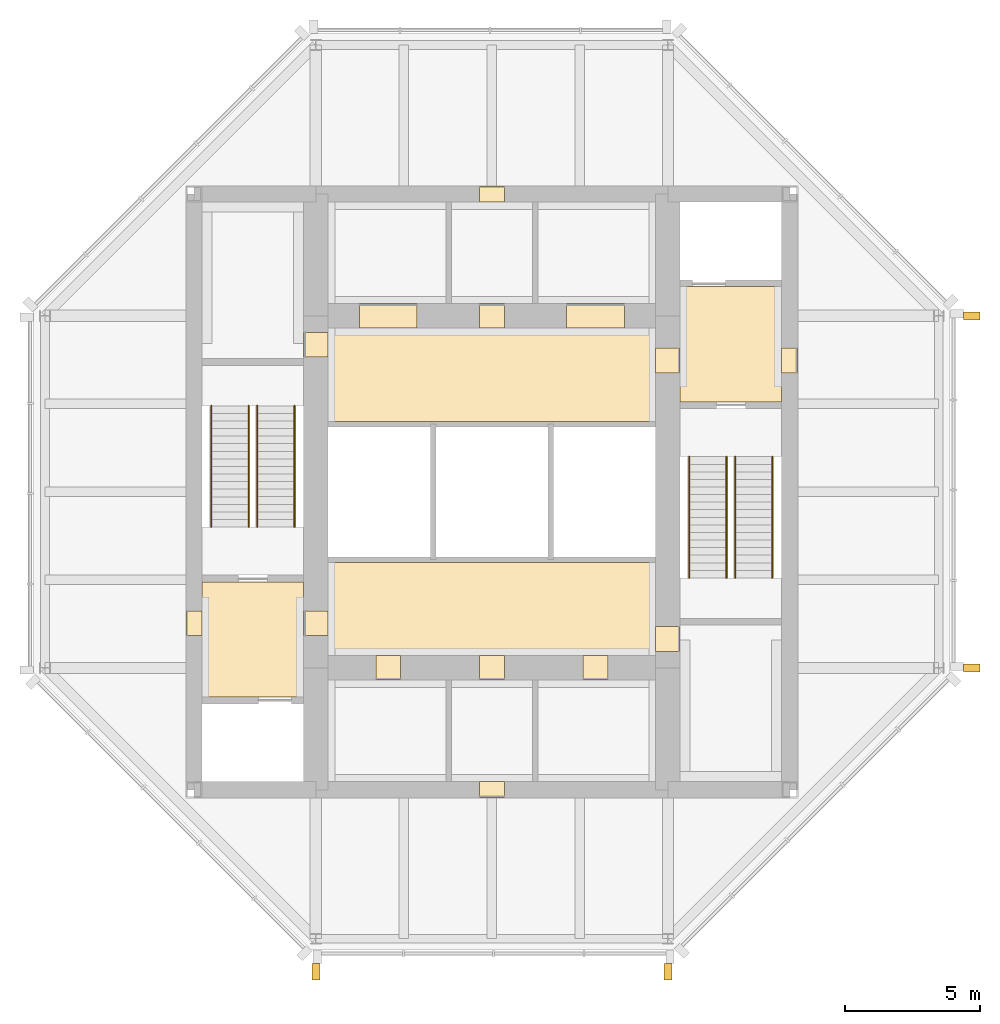
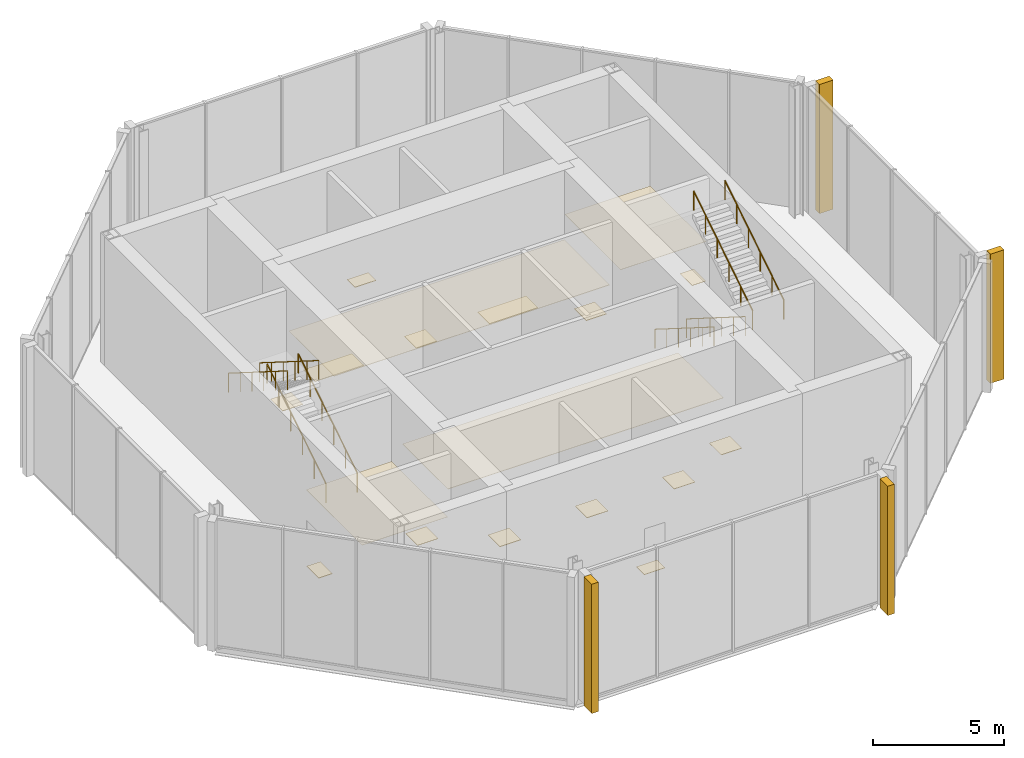
# One storey, part 6 of 6: 22 coverings, 8 railings.
"""IFC4 building model written with IfcOpenShell, lengths in metres."""

from ifc_helpers import new_model, si_unit, direction, frame, origin, origin_2d, place, context, subcontext, project, spatial, polyline, rectangle, circle, outline, extrude, material, layer, layer_set, type_object, element, save


model = new_model("IFC4")

# Units and contexts
model_context = context("Model", 3, precision=1e-05, world=origin(), true_north=direction((0.0, 1.0)))
body_context = subcontext(model_context, "Body", "Model", "MODEL_VIEW")
ifc_project = project(units=[si_unit("LENGTHUNIT", "METRE"), si_unit("AREAUNIT", "SQUARE_METRE"), si_unit("VOLUMEUNIT", "CUBIC_METRE"), si_unit("PLANEANGLEUNIT", "RADIAN"), si_unit("MASSUNIT", "GRAM", prefix="KILO")], contexts=[model_context])

# Site, building, storey
site_placement = place(None, origin())
site = spatial("IfcSite", under=ifc_project, at=site_placement, CompositionType="ELEMENT")
building_placement = place(site_placement, origin())
building = spatial("IfcBuilding", under=site, at=building_placement, Name="Trevanion Tower", CompositionType="ELEMENT")
storey_placement = place(building_placement, frame((0.0, 0.0, 304.199951171875)))
storey = spatial("IfcBuildingStorey", under=building, at=storey_placement, Name="L75", CompositionType="ELEMENT", Elevation=304.199951171875)

# Coverings
ifc_material_1 = material(Name="Mineral fibre acoustic tiles in exposed grid", Category="mineral fibre")
ifc_layer_1 = layer(ifc_material_1, 0.02001953125)
ifc_layer_set_1 = layer_set([ifc_layer_1], Name="CL2 acoustic tile ceiling 20")
covering_type_1 = type_object("IfcCoveringType", Name="CL2 acoustic tile ceiling 20", PredefinedType="CEILING", material=ifc_layer_set_1)
covering_1_placement = place(storey_placement, frame((0.0, 0.0, 2.75)))
element("IfcCovering", 1, at=covering_1_placement, inside=storey, type_object=covering_type_1, Name="CL2 L75-LBN", PredefinedType="CEILING", context=body_context, shape_type="SweptSolid", body=[
    extrude(outline(polyline([(6.050048828125, 2.60009765625), (6.050048828125, 6.050048828125), (-6.050048828125, 6.050048828125), (-6.050048828125, 2.60009765625), (6.050048828125, 2.60009765625)])), origin(), (0.0, 0.0, 1.0), 0.02001953125),
])
covering_2_placement = place(storey_placement, frame((0.0, 0.0, 2.75)))
element("IfcCovering", 2, at=covering_2_placement, inside=storey, type_object=covering_type_1, Name="CL2 L75-LBS", PredefinedType="CEILING", context=body_context, shape_type="SweptSolid", body=[
    extrude(outline(polyline([(6.050048828125, -6.050048828125), (6.050048828125, -2.60009765625), (-6.050048828125, -2.60009765625), (-6.050048828125, -6.050048828125), (6.050048828125, -6.050048828125)])), origin(), (0.0, 0.0, 1.0), 0.02001953125),
])
ifc_material_2 = material(Name="Gypsum plasterboard on suspended metal furring", Category="gypsum")
ifc_layer_2 = layer(ifc_material_2, 0.012939453125)
ifc_layer_set_2 = layer_set([ifc_layer_2], Name="CL3 plasterboard ceiling 13")
covering_type_2 = type_object("IfcCoveringType", Name="CL3 plasterboard ceiling 13", PredefinedType="CEILING", material=ifc_layer_set_2)
covering_3_placement = place(storey_placement, frame((0.0, 0.0, 2.699951171875)))
element("IfcCovering", 3, at=covering_3_placement, inside=storey, type_object=covering_type_2, Name="CL3 L75-FV1", PredefinedType="CEILING", context=body_context, shape_type="SweptSolid", body=[
    extrude(outline(polyline([(10.699951171875, 3.324951171875), (10.699951171875, 7.574951171875), (6.949951171875, 7.574951171875), (6.949951171875, 3.324951171875), (10.699951171875, 3.324951171875)])), origin(), (0.0, 0.0, 1.0), 0.01318359375),
])
covering_4_placement = place(storey_placement, frame((0.0, 0.0, 2.699951171875)))
element("IfcCovering", 4, at=covering_4_placement, inside=storey, type_object=covering_type_2, Name="CL3 L75-FV2", PredefinedType="CEILING", context=body_context, shape_type="SweptSolid", body=[
    extrude(outline(polyline([(-10.699951171875, -3.324951171875), (-10.699951171875, -7.574951171875), (-6.949951171875, -7.574951171875), (-6.949951171875, -3.324951171875), (-10.699951171875, -3.324951171875)])), origin(), (0.0, 0.0, 1.0), 0.01318359375),
])
ifc_material_3 = material(Name="Cast bronze fin on aluminium carrier", Category="aluminium")
covering_type_3 = type_object("IfcCoveringType", Name="F1 bronze fin", PredefinedType="CLADDING", material=ifc_material_3)
for number, where, z_axis, x_axis, name in (
    (5, (17.72509765625, -6.5, -0.18994140625), (0.0, 0.0, 1.0), (0.0, 1.0, 0.0), "F1 L75 east -6.5"),
    (6, (17.72509765625, 6.5, -0.18994140625), (0.0, 0.0, 1.0), (0.0, 1.0, 0.0), "F1 L75 east +6.5"),
    (7, (-6.5, -17.72509765625, -0.18994140625), (0.0, 0.0, 1.0), (1.0, 0.0, 0.0), "F1 L75 south -6.5"),
    (8, (6.5, -17.72509765625, -0.18994140625), (0.0, 0.0, 1.0), (1.0, 0.0, 0.0), "F1 L75 south +6.5"),
):
    element("IfcCovering", number, at=place(storey_placement, frame(where, z_axis=z_axis, x_axis=x_axis)), inside=storey, type_object=covering_type_3, Name=name, PredefinedType="CLADDING", context=body_context, shape_type="SweptSolid", body=[
        extrude(rectangle(XDim=0.300048828125, YDim=0.60009765625, at=origin_2d()), origin(), (0.0, 0.0, 1.0), 6.0),
    ])
ifc_material_4 = material(Name="Terrazzo, brass divider strips", Category="stone")
ifc_layer_3 = layer(ifc_material_4, 0.02001953125)
ifc_layer_set_3 = layer_set([ifc_layer_3], Name="FF1 terrazzo flooring")
covering_type_4 = type_object("IfcCoveringType", Name="FF1 terrazzo flooring", PredefinedType="FLOORING", material=ifc_layer_set_3)
covering_5_placement = place(storey_placement, origin())
element("IfcCovering", 9, at=covering_5_placement, inside=storey, type_object=covering_type_4, Name="FF1 threshold 75-001", PredefinedType="FLOORING", context=body_context, shape_type="SweptSolid", body=[
    extrude(outline(polyline([(11.300048828125, 4.392578125), (11.300048828125, 5.3076171875), (10.699951171875, 5.3076171875), (10.699951171875, 4.392578125), (11.300048828125, 4.392578125)])), origin(), (0.0, 0.0, 1.0), 0.02001953125),
])
covering_6_placement = place(storey_placement, origin())
element("IfcCovering", 10, at=covering_6_placement, inside=storey, type_object=covering_type_4, Name="FF1 threshold 75-002", PredefinedType="FLOORING", context=body_context, shape_type="SweptSolid", body=[
    extrude(outline(polyline([(-11.300048828125, -4.392578125), (-11.300048828125, -5.3076171875), (-10.699951171875, -5.3076171875), (-10.699951171875, -4.392578125), (-11.300048828125, -4.392578125)])), origin(), (0.0, 0.0, 1.0), 0.02001953125),
])
covering_7_placement = place(storey_placement, origin())
element("IfcCovering", 11, at=covering_7_placement, inside=storey, type_object=covering_type_4, Name="FF1 threshold 75-003", PredefinedType="FLOORING", context=body_context, shape_type="SweptSolid", body=[
    extrude(outline(polyline([(6.949951171875, 4.392578125), (6.949951171875, 5.3076171875), (6.050048828125, 5.3076171875), (6.050048828125, 4.392578125), (6.949951171875, 4.392578125)])), origin(), (0.0, 0.0, 1.0), 0.02001953125),
])
covering_8_placement = place(storey_placement, origin())
element("IfcCovering", 12, at=covering_8_placement, inside=storey, type_object=covering_type_4, Name="FF1 threshold 75-004", PredefinedType="FLOORING", context=body_context, shape_type="SweptSolid", body=[
    extrude(outline(polyline([(-6.949951171875, -4.392578125), (-6.949951171875, -5.3076171875), (-6.050048828125, -5.3076171875), (-6.050048828125, -4.392578125), (-6.949951171875, -4.392578125)])), origin(), (0.0, 0.0, 1.0), 0.02001953125),
])
covering_9_placement = place(storey_placement, origin())
element("IfcCovering", 13, at=covering_9_placement, inside=storey, type_object=covering_type_4, Name="FF1 threshold 75-009", PredefinedType="FLOORING", context=body_context, shape_type="SweptSolid", body=[
    extrude(outline(polyline([(6.949951171875, -5.889892578125), (6.949951171875, -4.97509765625), (6.050048828125, -4.97509765625), (6.050048828125, -5.889892578125), (6.949951171875, -5.889892578125)])), origin(), (0.0, 0.0, 1.0), 0.02001953125),
])
covering_10_placement = place(storey_placement, origin())
element("IfcCovering", 14, at=covering_10_placement, inside=storey, type_object=covering_type_4, Name="FF1 threshold 75-010", PredefinedType="FLOORING", context=body_context, shape_type="SweptSolid", body=[
    extrude(outline(polyline([(-6.949951171875, 5.889892578125), (-6.949951171875, 4.97509765625), (-6.050048828125, 4.97509765625), (-6.050048828125, 5.889892578125), (-6.949951171875, 5.889892578125)])), origin(), (0.0, 0.0, 1.0), 0.02001953125),
])
covering_11_placement = place(storey_placement, origin())
element("IfcCovering", 15, at=covering_11_placement, inside=storey, type_object=covering_type_4, Name="FF1 threshold 75-011", PredefinedType="FLOORING", context=body_context, shape_type="SweptSolid", body=[
    extrude(outline(polyline([(0.45751953125, 6.949951171875), (-0.45751953125, 6.949951171875), (-0.45751953125, 6.050048828125), (0.45751953125, 6.050048828125), (0.45751953125, 6.949951171875)])), origin(), (0.0, 0.0, 1.0), 0.02001953125),
])
covering_12_placement = place(storey_placement, origin())
element("IfcCovering", 16, at=covering_12_placement, inside=storey, type_object=covering_type_4, Name="FF1 threshold 75-012", PredefinedType="FLOORING", context=body_context, shape_type="SweptSolid", body=[
    extrude(outline(polyline([(0.45751953125, 11.300048828125), (-0.45751953125, 11.300048828125), (-0.45751953125, 10.699951171875), (0.45751953125, 10.699951171875), (0.45751953125, 11.300048828125)])), origin(), (0.0, 0.0, 1.0), 0.02001953125),
])
covering_13_placement = place(storey_placement, origin())
element("IfcCovering", 17, at=covering_13_placement, inside=storey, type_object=covering_type_4, Name="FF1 threshold 75-013", PredefinedType="FLOORING", context=body_context, shape_type="SweptSolid", body=[
    extrude(outline(polyline([(-2.758056640625, 6.949951171875), (-4.89208984375, 6.949951171875), (-4.89208984375, 6.050048828125), (-2.758056640625, 6.050048828125), (-2.758056640625, 6.949951171875)])), origin(), (0.0, 0.0, 1.0), 0.02001953125),
])
covering_14_placement = place(storey_placement, origin())
element("IfcCovering", 18, at=covering_14_placement, inside=storey, type_object=covering_type_4, Name="FF1 threshold 75-014", PredefinedType="FLOORING", context=body_context, shape_type="SweptSolid", body=[
    extrude(outline(polyline([(4.89208984375, 6.949951171875), (2.758056640625, 6.949951171875), (2.758056640625, 6.050048828125), (4.89208984375, 6.050048828125), (4.89208984375, 6.949951171875)])), origin(), (0.0, 0.0, 1.0), 0.02001953125),
])
covering_15_placement = place(storey_placement, origin())
element("IfcCovering", 19, at=covering_15_placement, inside=storey, type_object=covering_type_4, Name="FF1 threshold 75-015", PredefinedType="FLOORING", context=body_context, shape_type="SweptSolid", body=[
    extrude(outline(polyline([(-0.45751953125, -6.949951171875), (0.45751953125, -6.949951171875), (0.45751953125, -6.050048828125), (-0.45751953125, -6.050048828125), (-0.45751953125, -6.949951171875)])), origin(), (0.0, 0.0, 1.0), 0.02001953125),
])
covering_16_placement = place(storey_placement, origin())
element("IfcCovering", 20, at=covering_16_placement, inside=storey, type_object=covering_type_4, Name="FF1 threshold 75-016", PredefinedType="FLOORING", context=body_context, shape_type="SweptSolid", body=[
    extrude(outline(polyline([(-0.45751953125, -11.300048828125), (0.45751953125, -11.300048828125), (0.45751953125, -10.699951171875), (-0.45751953125, -10.699951171875), (-0.45751953125, -11.300048828125)])), origin(), (0.0, 0.0, 1.0), 0.02001953125),
])
covering_17_placement = place(storey_placement, origin())
element("IfcCovering", 21, at=covering_17_placement, inside=storey, type_object=covering_type_4, Name="FF1 threshold 75-017", PredefinedType="FLOORING", context=body_context, shape_type="SweptSolid", body=[
    extrude(outline(polyline([(-4.282470703125, -6.949951171875), (-3.367431640625, -6.949951171875), (-3.367431640625, -6.050048828125), (-4.282470703125, -6.050048828125), (-4.282470703125, -6.949951171875)])), origin(), (0.0, 0.0, 1.0), 0.02001953125),
])
covering_18_placement = place(storey_placement, origin())
element("IfcCovering", 22, at=covering_18_placement, inside=storey, type_object=covering_type_4, Name="FF1 threshold 75-018", PredefinedType="FLOORING", context=body_context, shape_type="SweptSolid", body=[
    extrude(outline(polyline([(3.367431640625, -6.949951171875), (4.282470703125, -6.949951171875), (4.282470703125, -6.050048828125), (3.367431640625, -6.050048828125), (3.367431640625, -6.949951171875)])), origin(), (0.0, 0.0, 1.0), 0.02001953125),
])

# Railings
ifc_material_5 = material(Name="Stainless steel tube 40 mm", Category="steel")
railing_type = type_object("IfcRailingType", Name="HR1 handrail", PredefinedType="HANDRAIL", material=ifc_material_5)
for number, where, name in (
    (23, (7.2900390625, 1.300048828125, 0.176513671875), "HR1 ST1 L75 flight 1"),
    (24, (8.6650390625, 1.300048828125, 0.176513671875), "HR1 ST1 L75 flight 1"),
):
    element("IfcRailing", number, at=place(storey_placement, frame(where)), inside=storey, type_object=railing_type, Name=name, PredefinedType="HANDRAIL", context=body_context, shape_type="SweptSolid", body=[
        extrude(circle(Radius=0.02001953125, at=origin_2d()), frame((0.0, 0.0, 0.8798828125), z_axis=(0.0, -0.845997938375, 0.533186166611), x_axis=(1.0, 0.0, 0.0)), (0.0, 0.0, 1.0), 5.29541015625),
        extrude(circle(Radius=0.01513671875, at=origin_2d()), origin(), (0.0, 0.0, 1.0), 0.85986328125),
        extrude(circle(Radius=0.01513671875, at=origin_2d()), frame((0.0, -0.89599609375, 0.564697265625)), (0.0, 0.0, 1.0), 0.85986328125),
        extrude(circle(Radius=0.01513671875, at=origin_2d()), frame((0.0, -1.7919921875, 1.12939453125)), (0.0, 0.0, 1.0), 0.85986328125),
        extrude(circle(Radius=0.01513671875, at=origin_2d()), frame((0.0, -2.68798828125, 1.694091796875)), (0.0, 0.0, 1.0), 0.85986328125),
        extrude(circle(Radius=0.01513671875, at=origin_2d()), frame((0.0, -3.583984375, 2.2587890625)), (0.0, 0.0, 1.0), 0.85986328125),
        extrude(circle(Radius=0.01513671875, at=origin_2d()), frame((0.0, -4.47998046875, 2.823486328125)), (0.0, 0.0, 1.0), 0.85986328125),
    ])
for number, where, name in (
    (25, (8.985107421875, -3.179931640625, 3.176513671875), "HR1 ST1 L75 flight 2"),
    (26, (10.360107421875, -3.179931640625, 3.176513671875), "HR1 ST1 L75 flight 2"),
    (27, (-7.2900390625, -1.300048828125, 0.176513671875), "HR1 ST2 L75 flight 1"),
    (28, (-8.6650390625, -1.300048828125, 0.176513671875), "HR1 ST2 L75 flight 1"),
):
    element("IfcRailing", number, at=place(storey_placement, frame(where)), inside=storey, type_object=railing_type, Name=name, PredefinedType="HANDRAIL", context=body_context, shape_type="SweptSolid", body=[
        extrude(circle(Radius=0.02001953125, at=origin_2d()), frame((0.0, 0.0, 0.8798828125), z_axis=(0.0, 0.845997938375, 0.533186166611), x_axis=(-1.0, 0.0, 0.0)), (0.0, 0.0, 1.0), 5.29541015625),
        extrude(circle(Radius=0.01513671875, at=origin_2d()), origin(), (0.0, 0.0, 1.0), 0.85986328125),
        extrude(circle(Radius=0.01513671875, at=origin_2d()), frame((0.0, 0.89599609375, 0.564697265625)), (0.0, 0.0, 1.0), 0.85986328125),
        extrude(circle(Radius=0.01513671875, at=origin_2d()), frame((0.0, 1.7919921875, 1.12939453125)), (0.0, 0.0, 1.0), 0.85986328125),
        extrude(circle(Radius=0.01513671875, at=origin_2d()), frame((0.0, 2.68798828125, 1.694091796875)), (0.0, 0.0, 1.0), 0.85986328125),
        extrude(circle(Radius=0.01513671875, at=origin_2d()), frame((0.0, 3.583984375, 2.2587890625)), (0.0, 0.0, 1.0), 0.85986328125),
        extrude(circle(Radius=0.01513671875, at=origin_2d()), frame((0.0, 4.47998046875, 2.823486328125)), (0.0, 0.0, 1.0), 0.85986328125),
    ])
for number, where, name in (
    (29, (-8.985107421875, 3.179931640625, 3.176513671875), "HR1 ST2 L75 flight 2"),
    (30, (-10.360107421875, 3.179931640625, 3.176513671875), "HR1 ST2 L75 flight 2"),
):
    element("IfcRailing", number, at=place(storey_placement, frame(where)), inside=storey, type_object=railing_type, Name=name, PredefinedType="HANDRAIL", context=body_context, shape_type="SweptSolid", body=[
        extrude(circle(Radius=0.02001953125, at=origin_2d()), frame((0.0, 0.0, 0.8798828125), z_axis=(0.0, -0.845997938375, 0.533186166611), x_axis=(1.0, 0.0, 0.0)), (0.0, 0.0, 1.0), 5.29541015625),
        extrude(circle(Radius=0.01513671875, at=origin_2d()), origin(), (0.0, 0.0, 1.0), 0.85986328125),
        extrude(circle(Radius=0.01513671875, at=origin_2d()), frame((0.0, -0.89599609375, 0.564697265625)), (0.0, 0.0, 1.0), 0.85986328125),
        extrude(circle(Radius=0.01513671875, at=origin_2d()), frame((0.0, -1.7919921875, 1.12939453125)), (0.0, 0.0, 1.0), 0.85986328125),
        extrude(circle(Radius=0.01513671875, at=origin_2d()), frame((0.0, -2.68798828125, 1.694091796875)), (0.0, 0.0, 1.0), 0.85986328125),
        extrude(circle(Radius=0.01513671875, at=origin_2d()), frame((0.0, -3.583984375, 2.2587890625)), (0.0, 0.0, 1.0), 0.85986328125),
        extrude(circle(Radius=0.01513671875, at=origin_2d()), frame((0.0, -4.47998046875, 2.823486328125)), (0.0, 0.0, 1.0), 0.85986328125),
    ])

save(model, "model.ifc")
